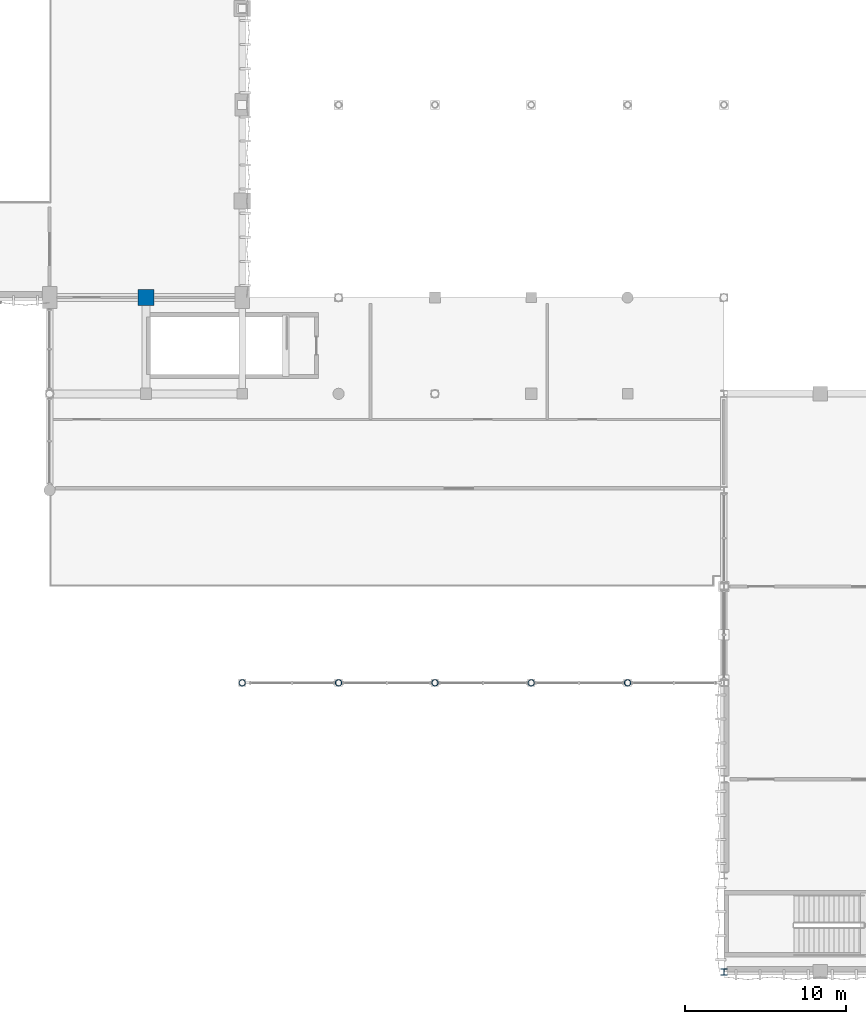
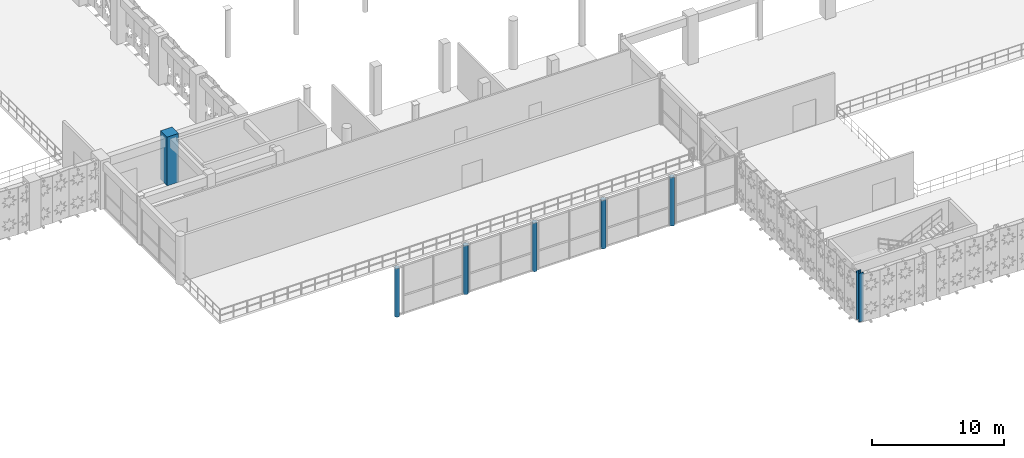
# One storey, part 2 of 116: 7 columns.
"""IFC4 building model written with IfcOpenShell, lengths in metres."""

from ifc_helpers import new_model, si_unit, direction, frame, origin, origin_2d, place, context, subcontext, project, spatial, rectangle, hollow_circle, i_section, extrude, material, material_profile, profile_set, type_object, element, save


model = new_model("IFC4")

# Units and contexts
model_context = context("Model", 3, precision=1e-05, world=origin(), true_north=direction((0.0, 1.0)))
body_context = subcontext(model_context, "Body", "Model", "MODEL_VIEW")
ifc_project = project(units=[si_unit("LENGTHUNIT", "METRE"), si_unit("AREAUNIT", "SQUARE_METRE"), si_unit("VOLUMEUNIT", "CUBIC_METRE"), si_unit("PLANEANGLEUNIT", "RADIAN"), si_unit("MASSUNIT", "GRAM", prefix="KILO"), si_unit("THERMODYNAMICTEMPERATUREUNIT", "KELVIN"), si_unit("POWERUNIT", "WATT")], contexts=[model_context])

# Site, building, storey
site_placement = place(None, origin())
site = spatial("IfcSite", under=ifc_project, at=site_placement, CompositionType="ELEMENT")
building_placement = place(site_placement, origin())
building = spatial("IfcBuilding", under=site, at=building_placement, Name="Phaisarnlok Congress Hotel", CompositionType="ELEMENT")
storey_placement = place(building_placement, frame((0.0, 0.0, 10.5)))
storey = spatial("IfcBuildingStorey", under=building, at=storey_placement, Name="L02", CompositionType="ELEMENT", Elevation=10.5)

# Columns
ifc_material_1 = material(Name="Concrete C50/60", Category="concrete")
ifc_material_profile_1 = material_profile(ifc_material_1, rectangle(XDim=1.0, YDim=1.0, at=origin_2d()), Name="RC 1000x1000")
ifc_profile_set_1 = profile_set([ifc_material_profile_1], Name="Concrete C50/60")
column_type_1 = type_object("IfcColumnType", Name="COL-RC-1000", PredefinedType="COLUMN", material=ifc_profile_set_1)
column_1_placement = place(storey_placement, frame((60.0, 42.0, 0.0), z_axis=(0.0, 0.0, 1.0), x_axis=(1.0, 0.0, 0.0)))
element("IfcColumn", 1, at=column_1_placement, inside=storey, type_object=column_type_1, Name="Column C-09 (L02)", PredefinedType="COLUMN", context=body_context, shape_type="SweptSolid", body=[
    extrude(rectangle(XDim=1.0, YDim=1.0, at=origin_2d()), origin(), (0.0, 0.0, 1.0), 4.5),
])
ifc_material_2 = material(Name="Steel S355", Category="steel")
ifc_material_profile_2 = material_profile(ifc_material_2, hollow_circle(Radius=0.203125, WallThickness=0.02001953125, at=origin_2d()), Name="CHS 406.4x20")
ifc_profile_set_2 = profile_set([ifc_material_profile_2], Name="Steel S355")
column_type_2 = type_object("IfcColumnType", Name="COL-STL-CHS406-EXT", PredefinedType="COLUMN", material=ifc_profile_set_2)
for number, where, z_axis, x_axis, name in (
    (2, (66.0, 18.0, 0.0), (0.0, 0.0, 1.0), (1.0, 0.0, 0.0), "Foyer wing-roof slim steel column SC-02E (L02)"),
    (3, (72.0, 18.0, 0.0), (0.0, 0.0, 1.0), (1.0, 0.0, 0.0), "Foyer wing-roof slim steel column SC-02E (L02)"),
    (4, (78.0, 18.0, 0.0), (0.0, 0.0, 1.0), (1.0, 0.0, 0.0), "Foyer wing-roof slim steel column SC-02E (L02)"),
    (5, (84.0, 18.0, 0.0), (0.0, 0.0, 1.0), (1.0, 0.0, 0.0), "Foyer wing-roof slim steel column SC-02E (L02)"),
    (6, (90.0, 18.0, 0.0), (0.0, 0.0, 1.0), (1.0, 0.0, 0.0), "Foyer wing-roof slim steel column SC-02E (L02)"),
):
    element("IfcColumn", number, at=place(storey_placement, frame(where, z_axis=z_axis, x_axis=x_axis)), inside=storey, type_object=column_type_2, Name=name, PredefinedType="COLUMN", context=body_context, shape_type="SweptSolid", body=[
        extrude(hollow_circle(Radius=0.203125, WallThickness=0.02001953125, at=origin_2d()), origin(), (0.0, 0.0, 1.0), 4.5),
    ])
ifc_material_profile_3 = material_profile(ifc_material_2, i_section(OverallWidth=0.406005859375, OverallDepth=0.416015625, WebThickness=0.021484375, FlangeThickness=0.034912109375, FilletRadius=0.014892578125, at=origin_2d()), Name="HD 400x382")
ifc_profile_set_3 = profile_set([ifc_material_profile_3], Name="Steel S355")
column_type_3 = type_object("IfcColumnType", Name="COL-STL-HD382-EXT", PredefinedType="COLUMN", material=ifc_profile_set_3)
column_2_placement = place(storey_placement, frame((96.0, 0.0, 0.0), z_axis=(0.0, 0.0, 1.0), x_axis=(1.0, 0.0, 0.0)))
element("IfcColumn", 7, at=column_2_placement, inside=storey, type_object=column_type_3, Name="Column SC-05E (L02)", PredefinedType="COLUMN", context=body_context, shape_type="SweptSolid", body=[
    extrude(i_section(OverallWidth=0.406005859375, OverallDepth=0.416015625, WebThickness=0.021484375, FlangeThickness=0.034912109375, FilletRadius=0.014892578125, at=origin_2d()), origin(), (0.0, 0.0, 1.0), 4.5),
])

save(model, "model.ifc")
